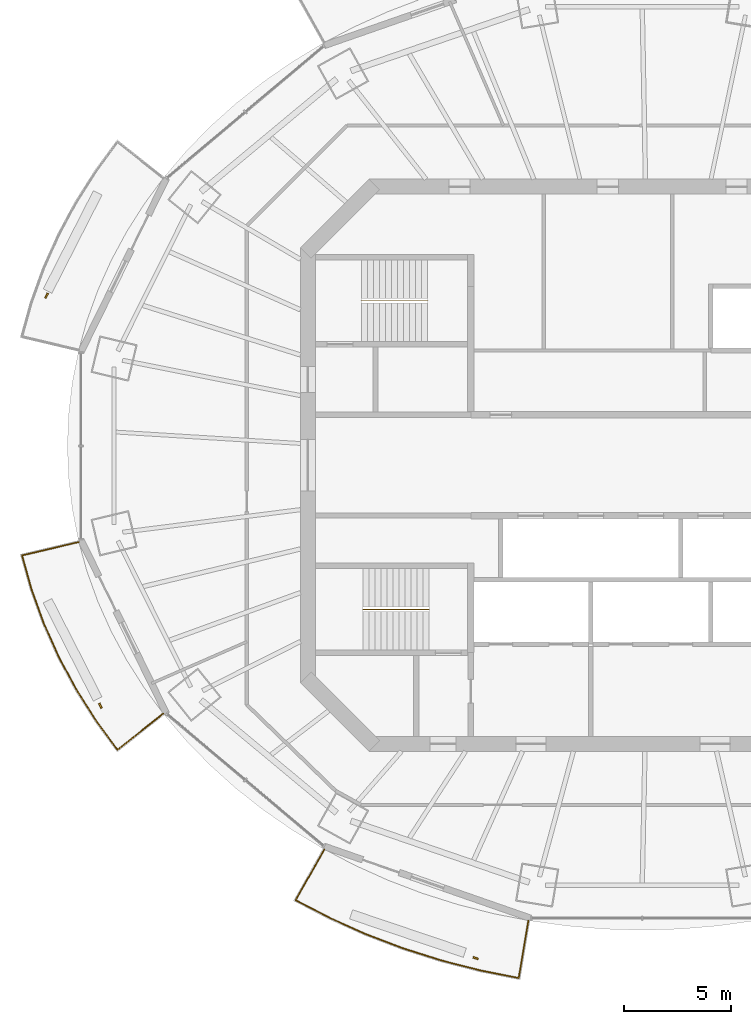
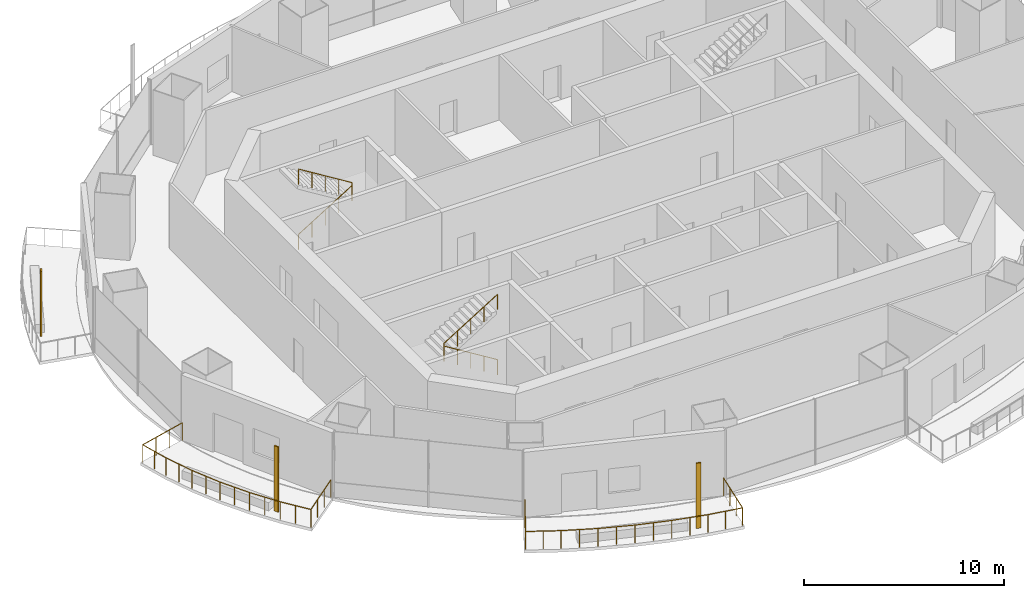
# One storey, part 12 of 16: 4 railings, 3 shading devices.
"""IFC4 building model written with IfcOpenShell, lengths in metres."""

from ifc_helpers import new_model, si_unit, direction, frame, origin, origin_2d, place, context, subcontext, project, spatial, rectangle, circle, extrude, material, material_profile, profile_set, type_object, element, save


model = new_model("IFC4")

# Units and contexts
model_context = context("Model", 3, precision=1e-05, world=origin(), true_north=direction((0.0, 1.0)))
body_context = subcontext(model_context, "Body", "Model", "MODEL_VIEW")
ifc_project = project(units=[si_unit("LENGTHUNIT", "METRE"), si_unit("AREAUNIT", "SQUARE_METRE"), si_unit("VOLUMEUNIT", "CUBIC_METRE"), si_unit("PLANEANGLEUNIT", "RADIAN"), si_unit("MASSUNIT", "GRAM", prefix="KILO")], contexts=[model_context])

# Site, building, storey
site_placement = place(None, origin())
site = spatial("IfcSite", under=ifc_project, at=site_placement, CompositionType="ELEMENT")
building_placement = place(site_placement, origin())
building = spatial("IfcBuilding", under=site, at=building_placement, Name="Marenthal Gate Tower", CompositionType="ELEMENT")
storey_placement = place(building_placement, frame((0.0, 0.0, 346.75)))
storey = spatial("IfcBuildingStorey", under=building, at=storey_placement, Name="L78", CompositionType="ELEMENT", Elevation=346.75)

# Railings
ifc_material_1 = material(Name="Stainless steel", Category="steel")
railing_type_1 = type_object("IfcRailingType", Name="Balcony guard 1100", PredefinedType="GUARDRAIL", material=ifc_material_1)
railing_1_placement = place(storey_placement, frame((-22.755615234375, -11.591064453125, 0.0)))
element("IfcRailing", 1, at=railing_1_placement, inside=storey, type_object=railing_type_1, Name="Balcony guard L78 bay 9", PredefinedType="GUARDRAIL", context=body_context, shape_type="SweptSolid", body=[
    extrude(circle(Radius=0.02392578125, at=origin_2d()), frame((0.0, 0.0, 1.076171875), z_axis=(-0.78365684055, -0.621019548707, -0.014719931491), x_axis=(0.621086839778, -0.783741754314, 0.0)), (0.0, 0.0, 1.0), 2.719970703125),
    extrude(circle(Radius=0.02392578125, at=origin_2d()), frame((-2.131591796875, -1.689208984375, 1.0361328125), z_axis=(-0.59265548199, 0.805456069359, 0.0), x_axis=(-0.805456069359, -0.59265548199, 0.0)), (0.0, 0.0, 1.0), 1.67041015625),
    extrude(circle(Radius=0.02392578125, at=origin_2d()), frame((-3.12158203125, -0.34375, 1.0361328125), z_axis=(-0.535757035565, 0.84437219213, 0.0), x_axis=(-0.84437219213, -0.535757035565, 0.0)), (0.0, 0.0, 1.0), 1.738037109375),
    extrude(circle(Radius=0.02392578125, at=origin_2d()), frame((-4.052734375, 1.123779296875, 1.0361328125), z_axis=(-0.473593920811, 0.880743321389, 0.0), x_axis=(-0.880743321389, -0.473593920811, 0.0)), (0.0, 0.0, 1.0), 1.72705078125),
    extrude(circle(Radius=0.02392578125, at=origin_2d()), frame((-4.87060546875, 2.644775390625, 1.0361328125), z_axis=(-0.407879524978, 0.91303575675, 0.0), x_axis=(-0.91303575675, -0.407879524978, 0.0)), (0.0, 0.0, 1.0), 1.716552734375),
    extrude(circle(Radius=0.02392578125, at=origin_2d()), frame((-5.57080078125, 4.212158203125, 1.0361328125), z_axis=(-0.338906739097, 0.940819973318, 0.0), x_axis=(-0.940819973318, -0.338906739097, 0.0)), (0.0, 0.0, 1.0), 1.7080078125),
    extrude(circle(Radius=0.02392578125, at=origin_2d()), frame((-6.149658203125, 5.819091796875, 1.0361328125), z_axis=(-0.268568220157, 0.963260666238, 0.0), x_axis=(-0.963260666238, -0.268568220157, 0.0)), (0.0, 0.0, 1.0), 1.620849609375),
    extrude(circle(Radius=0.02392578125, at=origin_2d()), frame((-6.5849609375, 7.38037109375, 1.0361328125), z_axis=(0.973182110168, 0.229564721303, 0.014717988387), x_axis=(-0.229589589404, 0.973287532252, 0.0)), (0.0, 0.0, 1.0), 2.720458984375),
    extrude(circle(Radius=0.02099609375, at=origin_2d()), origin(), (0.0, 0.0, 1.0), 1.052001953125),
    extrude(circle(Radius=0.02099609375, at=origin_2d()), frame((-0.71044921875, -0.56298828125, -0.013427734375)), (0.0, 0.0, 1.0), 1.052001953125),
    extrude(circle(Radius=0.02099609375, at=origin_2d()), frame((-1.421142578125, -1.126220703125, -0.026611328125)), (0.0, 0.0, 1.0), 1.052001953125),
    extrude(circle(Radius=0.02099609375, at=origin_2d()), frame((-2.131591796875, -1.689208984375, -0.0400390625)), (0.0, 0.0, 1.0), 1.052001953125),
    extrude(circle(Radius=0.02099609375, at=origin_2d()), frame((-2.62646484375, -1.0166015625, -0.0400390625)), (0.0, 0.0, 1.0), 1.052001953125),
    extrude(circle(Radius=0.02099609375, at=origin_2d()), frame((-3.12158203125, -0.34375, -0.0400390625)), (0.0, 0.0, 1.0), 1.052001953125),
    extrude(circle(Radius=0.02099609375, at=origin_2d()), frame((-3.587158203125, 0.39013671875, -0.0400390625)), (0.0, 0.0, 1.0), 1.052001953125),
    extrude(circle(Radius=0.02099609375, at=origin_2d()), frame((-4.052734375, 1.123779296875, -0.0400390625)), (0.0, 0.0, 1.0), 1.052001953125),
    extrude(circle(Radius=0.02099609375, at=origin_2d()), frame((-4.461669921875, 1.88427734375, -0.0400390625)), (0.0, 0.0, 1.0), 1.052001953125),
    extrude(circle(Radius=0.02099609375, at=origin_2d()), frame((-4.87060546875, 2.644775390625, -0.0400390625)), (0.0, 0.0, 1.0), 1.052001953125),
    extrude(circle(Radius=0.02099609375, at=origin_2d()), frame((-5.220703125, 3.428466796875, -0.0400390625)), (0.0, 0.0, 1.0), 1.052001953125),
    extrude(circle(Radius=0.02099609375, at=origin_2d()), frame((-5.57080078125, 4.212158203125, -0.0400390625)), (0.0, 0.0, 1.0), 1.052001953125),
    extrude(circle(Radius=0.02099609375, at=origin_2d()), frame((-5.8603515625, 5.015625, -0.0400390625)), (0.0, 0.0, 1.0), 1.052001953125),
    extrude(circle(Radius=0.02099609375, at=origin_2d()), frame((-6.149658203125, 5.819091796875, -0.0400390625)), (0.0, 0.0, 1.0), 1.052001953125),
    extrude(circle(Radius=0.02099609375, at=origin_2d()), frame((-6.3671875, 6.599609375, -0.0400390625)), (0.0, 0.0, 1.0), 1.052001953125),
    extrude(circle(Radius=0.02099609375, at=origin_2d()), frame((-6.5849609375, 7.38037109375, -0.0400390625)), (0.0, 0.0, 1.0), 1.052001953125),
    extrude(circle(Radius=0.02099609375, at=origin_2d()), frame((-5.702392578125, 7.588623046875, -0.026611328125)), (0.0, 0.0, 1.0), 1.052001953125),
    extrude(circle(Radius=0.02099609375, at=origin_2d()), frame((-4.820068359375, 7.796630859375, -0.013427734375)), (0.0, 0.0, 1.0), 1.052001953125),
    extrude(circle(Radius=0.02099609375, at=origin_2d()), frame((-3.9375, 8.0048828125, 0.0)), (0.0, 0.0, 1.0), 1.052001953125),
])
railing_2_placement = place(storey_placement, frame((-5.712646484375, -21.24853515625, 0.0)))
element("IfcRailing", 2, at=railing_2_placement, inside=storey, type_object=railing_type_1, Name="Balcony guard L78 bay 11", PredefinedType="GUARDRAIL", context=body_context, shape_type="SweptSolid", body=[
    extrude(circle(Radius=0.02392578125, at=origin_2d()), frame((0.0, 0.0, 1.076171875), z_axis=(-0.165312526275, -0.986131399953, -0.014718379104), x_axis=(0.98623823047, -0.165330435068, 0.0)), (0.0, 0.0, 1.0), 2.720458984375),
    extrude(circle(Radius=0.02392578125, at=origin_2d()), frame((-0.44970703125, -2.6826171875, 1.0361328125), z_axis=(-0.981028266678, 0.19386474661, 0.0), x_axis=(-0.19386474661, -0.981028266678, 0.0)), (0.0, 0.0, 1.0), 1.814697265625),
    extrude(circle(Radius=0.02392578125, at=origin_2d()), frame((-2.22998046875, -2.330810546875, 1.0361328125), z_axis=(-0.968851065423, 0.247644125772, 0.0), x_axis=(-0.247644125772, -0.968851065423, 0.0)), (0.0, 0.0, 1.0), 1.887939453125),
    extrude(circle(Radius=0.02392578125, at=origin_2d()), frame((-4.05908203125, -1.86328125, 1.0361328125), z_axis=(-0.953244331297, 0.302200669837, 0.0), x_axis=(-0.302200669837, -0.953244331297, 0.0)), (0.0, 0.0, 1.0), 1.879150390625),
    extrude(circle(Radius=0.02392578125, at=origin_2d()), frame((-5.850341796875, -1.29541015625, 1.0361328125), z_axis=(-0.934241329818, 0.35664146935, 0.0), x_axis=(-0.35664146935, -0.934241329818, 0.0)), (0.0, 0.0, 1.0), 1.86962890625),
    extrude(circle(Radius=0.02392578125, at=origin_2d()), frame((-7.596923828125, -0.628662109375, 1.0361328125), z_axis=(-0.911823143893, 0.410583187992, 0.0), x_axis=(-0.410583187992, -0.911823143893, 0.0)), (0.0, 0.0, 1.0), 1.858154296875),
    extrude(circle(Radius=0.02392578125, at=origin_2d()), frame((-9.291259765625, 0.13427734375, 1.0361328125), z_axis=(-0.886466510694, 0.462792745642, 0.0), x_axis=(-0.462792745642, -0.886466510694, 0.0)), (0.0, 0.0, 1.0), 1.76611328125),
    extrude(circle(Radius=0.02392578125, at=origin_2d()), frame((-10.85693359375, 0.95166015625, 1.0361328125), z_axis=(0.490779039991, 0.871159722412, 0.014719781009), x_axis=(-0.871254115691, 0.490832217659, 0.0)), (0.0, 0.0, 1.0), 2.719970703125),
    extrude(circle(Radius=0.02099609375, at=origin_2d()), origin(), (0.0, 0.0, 1.0), 1.052001953125),
    extrude(circle(Radius=0.02099609375, at=origin_2d()), frame((-0.14990234375, -0.894287109375, -0.013427734375)), (0.0, 0.0, 1.0), 1.052001953125),
    extrude(circle(Radius=0.02099609375, at=origin_2d()), frame((-0.2998046875, -1.788330078125, -0.026611328125)), (0.0, 0.0, 1.0), 1.052001953125),
    extrude(circle(Radius=0.02099609375, at=origin_2d()), frame((-0.44970703125, -2.6826171875, -0.0400390625)), (0.0, 0.0, 1.0), 1.052001953125),
    extrude(circle(Radius=0.02099609375, at=origin_2d()), frame((-1.33984375, -2.5068359375, -0.0400390625)), (0.0, 0.0, 1.0), 1.052001953125),
    extrude(circle(Radius=0.02099609375, at=origin_2d()), frame((-2.22998046875, -2.330810546875, -0.0400390625)), (0.0, 0.0, 1.0), 1.052001953125),
    extrude(circle(Radius=0.02099609375, at=origin_2d()), frame((-3.14453125, -2.09716796875, -0.0400390625)), (0.0, 0.0, 1.0), 1.052001953125),
    extrude(circle(Radius=0.02099609375, at=origin_2d()), frame((-4.05908203125, -1.86328125, -0.0400390625)), (0.0, 0.0, 1.0), 1.052001953125),
    extrude(circle(Radius=0.02099609375, at=origin_2d()), frame((-4.95458984375, -1.579345703125, -0.0400390625)), (0.0, 0.0, 1.0), 1.052001953125),
    extrude(circle(Radius=0.02099609375, at=origin_2d()), frame((-5.850341796875, -1.29541015625, -0.0400390625)), (0.0, 0.0, 1.0), 1.052001953125),
    extrude(circle(Radius=0.02099609375, at=origin_2d()), frame((-6.7236328125, -0.9619140625, -0.0400390625)), (0.0, 0.0, 1.0), 1.052001953125),
    extrude(circle(Radius=0.02099609375, at=origin_2d()), frame((-7.596923828125, -0.628662109375, -0.0400390625)), (0.0, 0.0, 1.0), 1.052001953125),
    extrude(circle(Radius=0.02099609375, at=origin_2d()), frame((-8.444091796875, -0.2470703125, -0.0400390625)), (0.0, 0.0, 1.0), 1.052001953125),
    extrude(circle(Radius=0.02099609375, at=origin_2d()), frame((-9.291259765625, 0.13427734375, -0.0400390625)), (0.0, 0.0, 1.0), 1.052001953125),
    extrude(circle(Radius=0.02099609375, at=origin_2d()), frame((-10.07421875, 0.54296875, -0.0400390625)), (0.0, 0.0, 1.0), 1.052001953125),
    extrude(circle(Radius=0.02099609375, at=origin_2d()), frame((-10.85693359375, 0.95166015625, -0.0400390625)), (0.0, 0.0, 1.0), 1.052001953125),
    extrude(circle(Radius=0.02099609375, at=origin_2d()), frame((-10.411865234375, 1.741455078125, -0.026611328125)), (0.0, 0.0, 1.0), 1.052001953125),
    extrude(circle(Radius=0.02099609375, at=origin_2d()), frame((-9.967041015625, 2.531494140625, -0.013427734375)), (0.0, 0.0, 1.0), 1.052001953125),
    extrude(circle(Radius=0.02099609375, at=origin_2d()), frame((-9.52197265625, 3.3212890625, 0.0)), (0.0, 0.0, 1.0), 1.052001953125),
])
ifc_material_2 = material(Name="Stainless steel", Category="steel")
railing_type_2 = type_object("IfcRailingType", Name="Stair handrail", PredefinedType="HANDRAIL", material=ifc_material_2)
railing_3_placement = place(storey_placement, frame((-13.5, 7.675048828125, 0.1728515625)))
element("IfcRailing", 3, at=railing_3_placement, inside=storey, type_object=railing_type_2, Name="Handrail ST1", PredefinedType="HANDRAIL", context=body_context, shape_type="SweptSolid", body=[
    extrude(circle(Radius=0.0224609375, at=origin_2d()), frame((0.0, 0.0, 0.927490234375), z_axis=(0.850835241893, 0.0, 0.525432575268), x_axis=(0.0, 1.0, 0.0)), (0.0, 0.0, 1.0), 3.6201171875),
    extrude(circle(Radius=0.0224609375, at=origin_2d()), frame((3.080078125, 0.0, 2.82958984375), z_axis=(0.0, 0.0, 1.0), x_axis=(1.0, 0.0, 0.0)), (0.0, 0.0, 1.0), 0.1728515625),
    extrude(circle(Radius=0.0224609375, at=origin_2d()), frame((3.080078125, 0.0, 3.00244140625), z_axis=(-0.850835241893, 0.0, 0.525432575268), x_axis=(0.0, -1.0, 0.0)), (0.0, 0.0, 1.0), 3.6201171875),
    extrude(circle(Radius=0.02001953125, at=origin_2d()), origin(), (0.0, 0.0, 1.0), 0.905029296875),
    extrude(circle(Radius=0.02001953125, at=origin_2d()), frame((0.77001953125, 0.0, 0.4755859375)), (0.0, 0.0, 1.0), 0.905029296875),
    extrude(circle(Radius=0.02001953125, at=origin_2d()), frame((1.5400390625, 0.0, 0.951171875)), (0.0, 0.0, 1.0), 0.905029296875),
    extrude(circle(Radius=0.02001953125, at=origin_2d()), frame((2.31005859375, 0.0, 1.426513671875)), (0.0, 0.0, 1.0), 0.905029296875),
    extrude(circle(Radius=0.02001953125, at=origin_2d()), frame((3.080078125, 0.0, 1.902099609375)), (0.0, 0.0, 1.0), 0.905029296875),
    extrude(circle(Radius=0.02001953125, at=origin_2d()), frame((3.080078125, 0.0, 2.074951171875)), (0.0, 0.0, 1.0), 0.905029296875),
    extrude(circle(Radius=0.02001953125, at=origin_2d()), frame((2.31005859375, 0.0, 2.550537109375)), (0.0, 0.0, 1.0), 0.905029296875),
    extrude(circle(Radius=0.02001953125, at=origin_2d()), frame((1.5400390625, 0.0, 3.02587890625)), (0.0, 0.0, 1.0), 0.905029296875),
    extrude(circle(Radius=0.02001953125, at=origin_2d()), frame((0.77001953125, 0.0, 3.50146484375)), (0.0, 0.0, 1.0), 0.905029296875),
    extrude(circle(Radius=0.02001953125, at=origin_2d()), frame((0.0, 0.0, 3.97705078125)), (0.0, 0.0, 1.0), 0.905029296875),
])
railing_4_placement = place(storey_placement, frame((-10.35009765625, -6.72509765625, 0.1728515625)))
element("IfcRailing", 4, at=railing_4_placement, inside=storey, type_object=railing_type_2, Name="Handrail ST2", PredefinedType="HANDRAIL", context=body_context, shape_type="SweptSolid", body=[
    extrude(circle(Radius=0.0224609375, at=origin_2d()), frame((0.0, 0.0, 0.927490234375), z_axis=(-0.850816621229, 0.0, 0.525462726595), x_axis=(0.0, -1.0, 0.0)), (0.0, 0.0, 1.0), 3.619873046875),
    extrude(circle(Radius=0.0224609375, at=origin_2d()), frame((-3.079833984375, 0.0, 2.82958984375), z_axis=(0.0, 0.0, 1.0), x_axis=(1.0, 0.0, 0.0)), (0.0, 0.0, 1.0), 0.1728515625),
    extrude(circle(Radius=0.0224609375, at=origin_2d()), frame((-3.079833984375, 0.0, 3.00244140625), z_axis=(0.850816621229, 0.0, 0.525462726595), x_axis=(0.0, 1.0, 0.0)), (0.0, 0.0, 1.0), 3.619873046875),
    extrude(circle(Radius=0.02001953125, at=origin_2d()), origin(), (0.0, 0.0, 1.0), 0.905029296875),
    extrude(circle(Radius=0.02001953125, at=origin_2d()), frame((-0.77001953125, 0.0, 0.4755859375)), (0.0, 0.0, 1.0), 0.905029296875),
    extrude(circle(Radius=0.02001953125, at=origin_2d()), frame((-1.5400390625, 0.0, 0.951171875)), (0.0, 0.0, 1.0), 0.905029296875),
    extrude(circle(Radius=0.02001953125, at=origin_2d()), frame((-2.309814453125, 0.0, 1.426513671875)), (0.0, 0.0, 1.0), 0.905029296875),
    extrude(circle(Radius=0.02001953125, at=origin_2d()), frame((-3.079833984375, 0.0, 1.902099609375)), (0.0, 0.0, 1.0), 0.905029296875),
    extrude(circle(Radius=0.02001953125, at=origin_2d()), frame((-3.079833984375, 0.0, 2.074951171875)), (0.0, 0.0, 1.0), 0.905029296875),
    extrude(circle(Radius=0.02001953125, at=origin_2d()), frame((-2.309814453125, 0.0, 2.550537109375)), (0.0, 0.0, 1.0), 0.905029296875),
    extrude(circle(Radius=0.02001953125, at=origin_2d()), frame((-1.5400390625, 0.0, 3.02587890625)), (0.0, 0.0, 1.0), 0.905029296875),
    extrude(circle(Radius=0.02001953125, at=origin_2d()), frame((-0.77001953125, 0.0, 3.50146484375)), (0.0, 0.0, 1.0), 0.905029296875),
    extrude(circle(Radius=0.02001953125, at=origin_2d()), frame((0.0, 0.0, 3.97705078125)), (0.0, 0.0, 1.0), 0.905029296875),
])

# Shading devices
ifc_material_3 = material(Name="Terracotta", Category="masonry")
ifc_material_profile = material_profile(ifc_material_3, rectangle(XDim=0.25, YDim=0.080078125, at=origin_2d()), Name="Terracotta baguette 250x80")
ifc_profile_set = profile_set([ifc_material_profile], Name="Terracotta")
shading_device_type = type_object("IfcShadingDeviceType", Name="Terracotta BAGUETTE SCREEN 250x80", PredefinedType="USERDEFINED", material=ifc_profile_set)
for number, where, z_axis, x_axis, name in (
    (5, (-28.19580078125, 7.9150390625, -0.0400390625), (0.0, 0.0, 1.0), (-0.441181376026, -0.897417959174, 0.0), "Terracotta BAGUETTE L78 bay 7R"),
    (6, (-25.682861328125, -11.226318359375, -0.0400390625), (0.0, 0.0, 1.0), (0.441181376026, -0.897417959174, 0.0), "Terracotta BAGUETTE L78 bay 9R"),
    (7, (-8.171875, -23.0029296875, -0.0400390625), (0.0, 0.0, 1.0), (0.944152186109, -0.32950971073, 0.0), "Terracotta BAGUETTE L78 bay 11R"),
):
    element("IfcShadingDevice", number, at=place(storey_placement, frame(where, z_axis=z_axis, x_axis=x_axis)), inside=storey, type_object=shading_device_type, Name=name, ObjectType="BAGUETTE SCREEN", PredefinedType="USERDEFINED", context=body_context, shape_type="SweptSolid", body=[
        extrude(rectangle(XDim=0.25, YDim=0.080078125, at=origin_2d()), origin(), (0.0, 0.0, 1.0), 3.969970703125),
    ])

save(model, "model.ifc")
